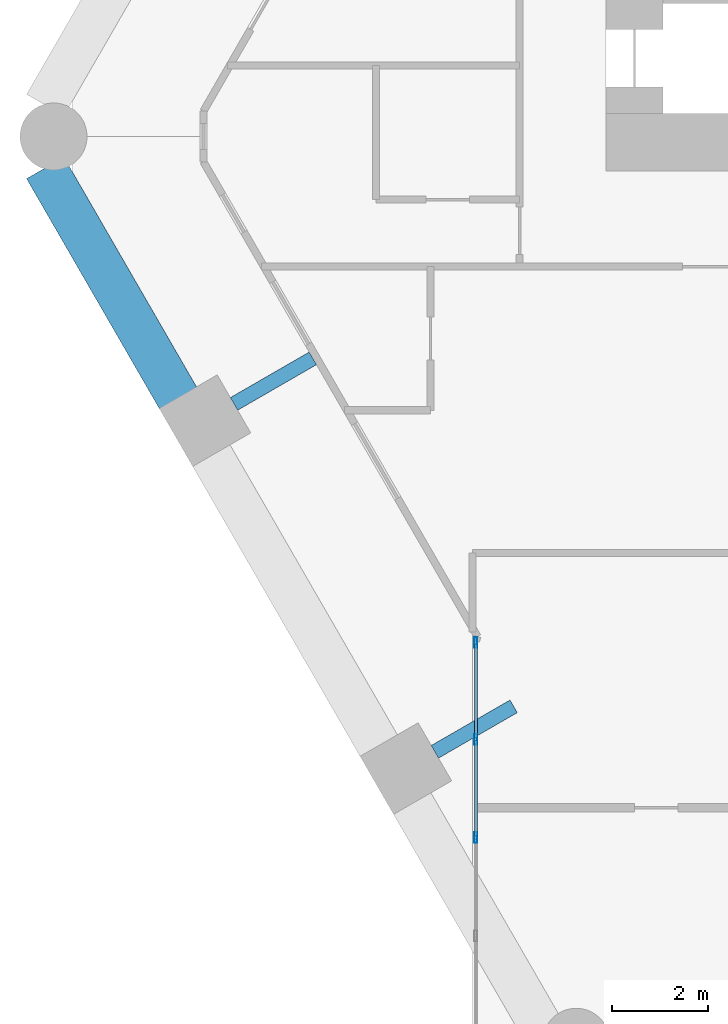
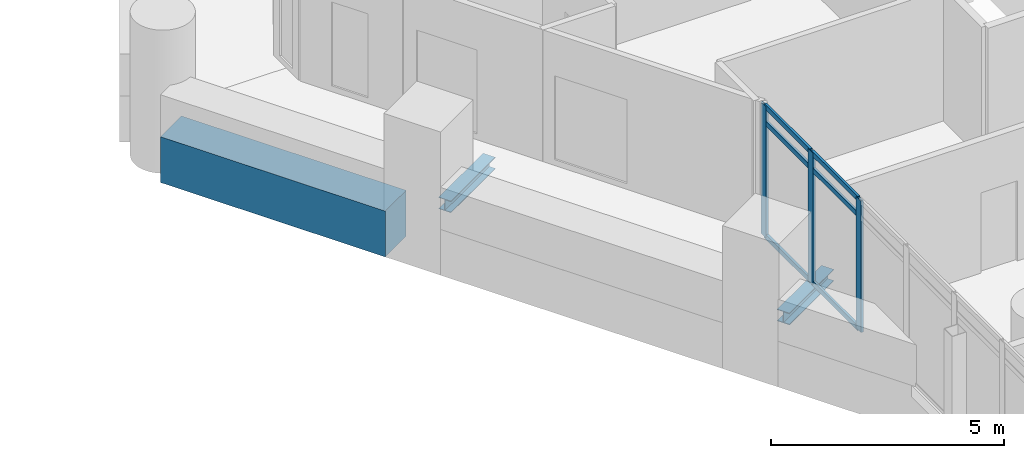
# One storey, part 9 of 28: 9 members, 3 beams, 1 element without a shape of its own.
"""IFC4 building model written with IfcOpenShell, lengths in metres."""

from ifc_helpers import new_model, si_unit, direction, frame, origin, origin_2d, place, context, subcontext, project, spatial, rectangle, hollow_rectangle, i_section, extrude, material, material_profile, profile_set, type_object, element, aggregate, save


model = new_model("IFC4")

# Units and contexts
model_context = context("Model", 3, precision=1e-05, world=origin(), true_north=direction((0.0, 1.0)))
body_context = subcontext(model_context, "Body", "Model", "MODEL_VIEW")
ifc_project = project(units=[si_unit("LENGTHUNIT", "METRE"), si_unit("AREAUNIT", "SQUARE_METRE"), si_unit("VOLUMEUNIT", "CUBIC_METRE"), si_unit("PLANEANGLEUNIT", "RADIAN"), si_unit("MASSUNIT", "GRAM", prefix="KILO")], contexts=[model_context])

# Site, building, storey
site_placement = place(None, origin())
site = spatial("IfcSite", under=ifc_project, at=site_placement, CompositionType="ELEMENT")
building_placement = place(site_placement, origin())
building = spatial("IfcBuilding", under=site, at=building_placement, Name="Ostrander Bayou Hotel Tower", CompositionType="ELEMENT")
storey_placement = place(building_placement, frame((0.0, 0.0, 73.0)))
storey = spatial("IfcBuildingStorey", under=building, at=storey_placement, Name="L18", CompositionType="ELEMENT", Elevation=73.0)

# Curtain wall, members
ifc_material_1 = material(Name="Aluminium and clear glass", Category="aluminium")
curtain_wall_type = type_object("IfcCurtainWallType", Name="CW-BAR glazed wall", PredefinedType="NOTDEFINED", material=ifc_material_1)
curtain_wall_placement = place(storey_placement, origin())
curtain_wall = element("IfcCurtainWall", 1, at=curtain_wall_placement, inside=storey, type_object=curtain_wall_type, Name="CW-BAR L18:SB1S:E", PredefinedType="NOTDEFINED")
ifc_material_2 = material(Name="Aluminium", Category="aluminium")
ifc_material_profile_1 = material_profile(ifc_material_2, hollow_rectangle(XDim=0.06005859375, YDim=0.219970703125, WallThickness=0.00390625, at=origin_2d()))
ifc_profile_set_1 = profile_set([ifc_material_profile_1], Name="Aluminium")
member_type_1 = type_object("IfcMemberType", Name="CW-BR mullion 60 x 220 mm", PredefinedType="MULLION", material=ifc_profile_set_1)
member_1_placement = place(storey_placement, frame((-14.712158203125, -11.547607421875, 0.0), z_axis=(0.0, 0.0, 1.0), x_axis=(1.0, 0.0, 0.0)))
member_1 = element("IfcMember", 2, at=member_1_placement, type_object=member_type_1, Name="CW-BAR mullion 1", PredefinedType="MULLION", context=body_context, shape_type="SweptSolid", body=[
    extrude(hollow_rectangle(XDim=0.06005859375, YDim=0.219970703125, WallThickness=0.00390625, at=origin_2d()), origin(), (0.0, 0.0, 1.0), 3.449951171875),
])
member_2_placement = place(storey_placement, frame((-14.712158203125, -13.571044921875, 0.0), z_axis=(0.0, 0.0, 1.0), x_axis=(1.0, 0.0, 0.0)))
member_2 = element("IfcMember", 3, at=member_2_placement, type_object=member_type_1, Name="CW-BAR mullion 2", PredefinedType="MULLION", context=body_context, shape_type="SweptSolid", body=[
    extrude(hollow_rectangle(XDim=0.06005859375, YDim=0.219970703125, WallThickness=0.00390625, at=origin_2d()), origin(), (0.0, 0.0, 1.0), 3.449951171875),
])
member_3_placement = place(storey_placement, frame((-14.712158203125, -15.62451171875, 0.0), z_axis=(0.0, 0.0, 1.0), x_axis=(1.0, 0.0, 0.0)))
member_3 = element("IfcMember", 4, at=member_3_placement, type_object=member_type_1, Name="CW-BAR mullion 3", PredefinedType="MULLION", context=body_context, shape_type="SweptSolid", body=[
    extrude(hollow_rectangle(XDim=0.06005859375, YDim=0.219970703125, WallThickness=0.00390625, at=origin_2d()), origin(), (0.0, 0.0, 1.0), 3.449951171875),
])
ifc_material_3 = material(Name="Aluminium", Category="aluminium")
ifc_material_profile_2 = material_profile(ifc_material_3, hollow_rectangle(XDim=0.06005859375, YDim=0.1298828125, WallThickness=0.00390625, at=origin_2d()))
ifc_profile_set_2 = profile_set([ifc_material_profile_2], Name="Aluminium")
member_type_2 = type_object("IfcMemberType", Name="CW-BR transom 60 x 130 mm", PredefinedType="USERDEFINED", material=ifc_profile_set_2)
member_4_placement = place(storey_placement, frame((-14.712158203125, -11.57763671875, 0.030029296875), z_axis=(0.0, -1.0, 0.0), x_axis=(1.0, 0.0, 0.0)))
member_4 = element("IfcMember", 5, at=member_4_placement, type_object=member_type_2, Name="CW-BAR transom 1.1", ObjectType="TRANSOM", PredefinedType="USERDEFINED", context=body_context, shape_type="SweptSolid", body=[
    extrude(hollow_rectangle(XDim=0.06005859375, YDim=0.1298828125, WallThickness=0.00390625, at=origin_2d()), origin(), (0.0, 0.0, 1.0), 1.96337890625),
])
member_5_placement = place(storey_placement, frame((-14.712158203125, -11.57763671875, 3.0), z_axis=(0.0, -1.0, 0.0), x_axis=(1.0, 0.0, 0.0)))
member_5 = element("IfcMember", 6, at=member_5_placement, type_object=member_type_2, Name="CW-BAR transom 1.2", ObjectType="TRANSOM", PredefinedType="USERDEFINED", context=body_context, shape_type="SweptSolid", body=[
    extrude(hollow_rectangle(XDim=0.06005859375, YDim=0.1298828125, WallThickness=0.00390625, at=origin_2d()), origin(), (0.0, 0.0, 1.0), 1.96337890625),
])
member_6_placement = place(storey_placement, frame((-14.712158203125, -11.57763671875, 3.419921875), z_axis=(0.0, -1.0, 0.0), x_axis=(1.0, 0.0, 0.0)))
member_6 = element("IfcMember", 7, at=member_6_placement, type_object=member_type_2, Name="CW-BAR transom 1.3", ObjectType="TRANSOM", PredefinedType="USERDEFINED", context=body_context, shape_type="SweptSolid", body=[
    extrude(hollow_rectangle(XDim=0.06005859375, YDim=0.1298828125, WallThickness=0.00390625, at=origin_2d()), origin(), (0.0, 0.0, 1.0), 1.96337890625),
])
member_7_placement = place(storey_placement, frame((-14.712158203125, -13.60107421875, 0.030029296875), z_axis=(0.0, -1.0, 0.0), x_axis=(1.0, 0.0, 0.0)))
member_7 = element("IfcMember", 8, at=member_7_placement, type_object=member_type_2, Name="CW-BAR transom 2.1", ObjectType="TRANSOM", PredefinedType="USERDEFINED", context=body_context, shape_type="SweptSolid", body=[
    extrude(hollow_rectangle(XDim=0.06005859375, YDim=0.1298828125, WallThickness=0.00390625, at=origin_2d()), origin(), (0.0, 0.0, 1.0), 1.993408203125),
])
member_8_placement = place(storey_placement, frame((-14.712158203125, -13.60107421875, 3.0), z_axis=(0.0, -1.0, 0.0), x_axis=(1.0, 0.0, 0.0)))
member_8 = element("IfcMember", 9, at=member_8_placement, type_object=member_type_2, Name="CW-BAR transom 2.2", ObjectType="TRANSOM", PredefinedType="USERDEFINED", context=body_context, shape_type="SweptSolid", body=[
    extrude(hollow_rectangle(XDim=0.06005859375, YDim=0.1298828125, WallThickness=0.00390625, at=origin_2d()), origin(), (0.0, 0.0, 1.0), 1.993408203125),
])
member_9_placement = place(storey_placement, frame((-14.712158203125, -13.60107421875, 3.419921875), z_axis=(0.0, -1.0, 0.0), x_axis=(1.0, 0.0, 0.0)))
member_9 = element("IfcMember", 10, at=member_9_placement, type_object=member_type_2, Name="CW-BAR transom 2.3", ObjectType="TRANSOM", PredefinedType="USERDEFINED", context=body_context, shape_type="SweptSolid", body=[
    extrude(hollow_rectangle(XDim=0.06005859375, YDim=0.1298828125, WallThickness=0.00390625, at=origin_2d()), origin(), (0.0, 0.0, 1.0), 1.993408203125),
])
aggregate(curtain_wall, [member_1, member_2, member_3, member_4, member_5, member_6, member_7, member_8, member_9])

# Beams
ifc_material_4 = material(Name="Steel ASTM A992", Category="steel")
ifc_material_profile_3 = material_profile(ifc_material_4, i_section(OverallWidth=0.3046875, OverallDepth=0.307861328125, WebThickness=0.010009765625, FlangeThickness=0.015380859375, at=origin_2d()))
ifc_profile_set_3 = profile_set([ifc_material_profile_3], Name="Steel ASTM A992")
beam_type_1 = type_object("IfcBeamType", Name="LB1 loggia bracket W12x65", PredefinedType="BEAM", material=ifc_profile_set_3)
beam_1_placement = place(storey_placement, frame((-19.7646484375, -6.566650390625, -0.453857421875), z_axis=(0.866044365799, 0.499967155389, 0.0), x_axis=(-0.499967155389, 0.866044365799, 0.0)))
element("IfcBeam", 11, at=beam_1_placement, inside=storey, type_object=beam_type_1, Name="LB1 L18 SW1", PredefinedType="BEAM", context=body_context, shape_type="SweptSolid", body=[
    extrude(i_section(OverallWidth=0.3046875, OverallDepth=0.307861328125, WebThickness=0.010009765625, FlangeThickness=0.015380859375, at=origin_2d()), origin(), (0.0, 0.0, 1.0), 1.900146484375),
])
beam_2_placement = place(storey_placement, frame((-15.569091796875, -13.833251953125, -0.453857421875), z_axis=(0.86601224135, 0.500022797313, 0.0), x_axis=(-0.500022797313, 0.86601224135, 0.0)))
element("IfcBeam", 12, at=beam_2_placement, inside=storey, type_object=beam_type_1, Name="LB1 L18 SW2", PredefinedType="BEAM", context=body_context, shape_type="SweptSolid", body=[
    extrude(i_section(OverallWidth=0.3046875, OverallDepth=0.307861328125, WebThickness=0.010009765625, FlangeThickness=0.015380859375, at=origin_2d()), origin(), (0.0, 0.0, 1.0), 1.89990234375),
])
ifc_material_5 = material(Name="Concrete f'c 70 MPa", Category="concrete")
ifc_material_profile_4 = material_profile(ifc_material_5, rectangle(XDim=0.89990234375, YDim=1.199951171875, at=origin_2d()))
ifc_profile_set_4 = profile_set([ifc_material_profile_4], Name="Concrete f'c 70 MPa")
beam_type_2 = type_object("IfcBeamType", Name="SP1 spandrel beam 900 x 1200 mm f'c 70 MPa", PredefinedType="SPANDREL", material=ifc_profile_set_4)
beam_3_placement = place(storey_placement, frame((-23.707275390625, -1.637939453125, -0.60009765625), z_axis=(0.500009557824, -0.866019885502, 0.0), x_axis=(0.866019885502, 0.500009557824, 0.0)))
element("IfcBeam", 13, at=beam_3_placement, inside=storey, type_object=beam_type_2, Name="SP1 L18 SW-1", PredefinedType="SPANDREL", context=body_context, shape_type="SweptSolid", body=[
    extrude(rectangle(XDim=0.89990234375, YDim=1.199951171875, at=origin_2d()), origin(), (0.0, 0.0, 1.0), 5.56982421875),
])

save(model, "model.ifc")
